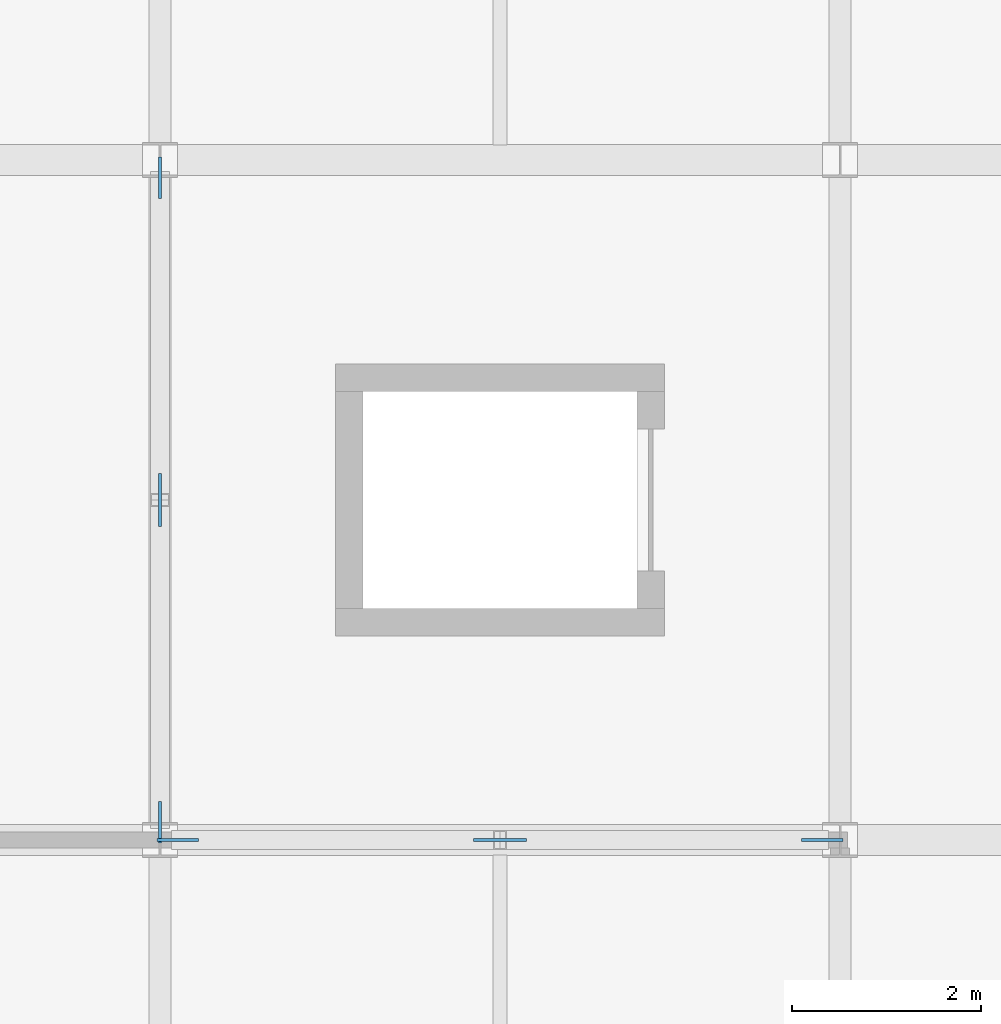
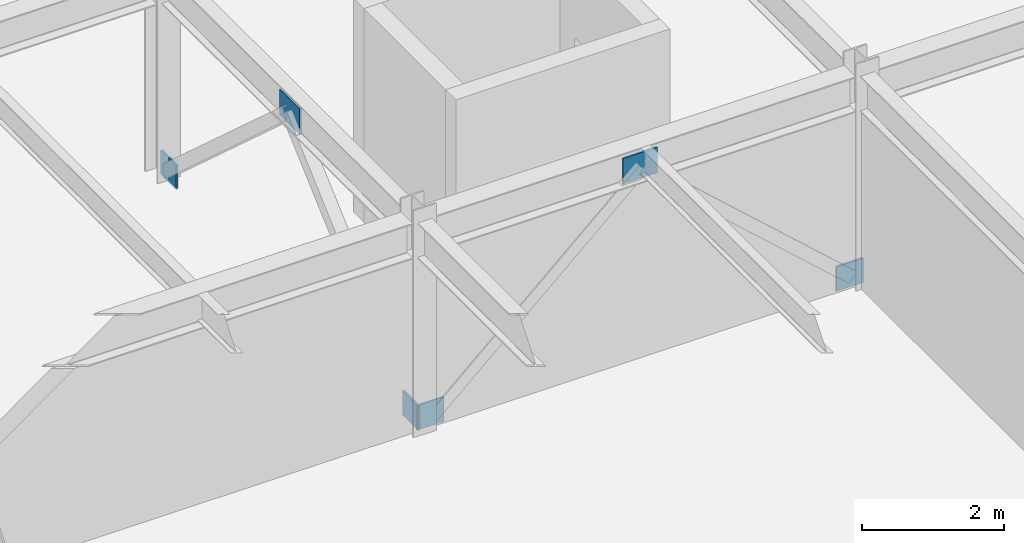
# One storey, part 63 of 93: 6 plates.
"""IFC4 building model written with IfcOpenShell, lengths in metres."""

from ifc_helpers import new_model, si_unit, direction, frame, origin, origin_2d, place, context, subcontext, project, spatial, rectangle, extrude, material, layer, layer_set, type_object, element, save


model = new_model("IFC4")

# Units and contexts
model_context = context("Model", 3, precision=1e-05, world=origin(), true_north=direction((0.0, 1.0)))
body_context = subcontext(model_context, "Body", "Model", "MODEL_VIEW")
ifc_project = project(units=[si_unit("LENGTHUNIT", "METRE"), si_unit("AREAUNIT", "SQUARE_METRE"), si_unit("VOLUMEUNIT", "CUBIC_METRE"), si_unit("PLANEANGLEUNIT", "RADIAN"), si_unit("MASSUNIT", "GRAM", prefix="KILO")], contexts=[model_context])

# Site, building, storey
site_placement = place(None, origin())
site = spatial("IfcSite", under=ifc_project, at=site_placement, CompositionType="ELEMENT")
building_placement = place(site_placement, origin())
building = spatial("IfcBuilding", under=site, at=building_placement, Name="Vaelcorin Mobility Hub", CompositionType="ELEMENT")
storey_placement = place(building_placement, frame((0.0, 0.0, 5.39990234375)))
storey = spatial("IfcBuildingStorey", under=building, at=storey_placement, Name="L01", CompositionType="ELEMENT", Elevation=5.39990234375)

# Plates
ifc_material = material(Name="Steel ASTM A572 Grade 50", Category="steel")
ifc_layer = layer(ifc_material, 0.030029296875)
ifc_layer_set = layer_set([ifc_layer], Name="Steel ASTM A572 Grade 50")
plate_type = type_object("IfcPlateType", Name="PL-GN2", PredefinedType="USERDEFINED", material=ifc_layer_set)
for number, where, z_axis, x_axis, name in (
    (1, (160.989990234375, 98.39990234375, -0.02978515625), (0.0, 0.0, 1.0), (1.0, 0.0, 0.0), "SCBF Gusset Plate GN2 V5-BX2-L01-A"),
    (2, (167.81005859375, 98.39990234375, -0.02978515625), (0.0, 0.0, 1.0), (1.0, 0.0, 0.0), "SCBF Gusset Plate GN2 V5-BX2-L01-B"),
):
    element("IfcPlate", number, at=place(storey_placement, frame(where, z_axis=z_axis, x_axis=x_axis)), inside=storey, type_object=plate_type, Name=name, ObjectType="GUSSET PLATE", PredefinedType="USERDEFINED", context=body_context, shape_type="SweptSolid", body=[
        extrude(rectangle(XDim=0.43994140625, YDim=0.030029296875, at=origin_2d()), origin(), (0.0, 0.0, 1.0), 0.419921875),
    ])
plate_1_placement = place(storey_placement, frame((164.39990234375, 98.39990234375, 3.030029296875), z_axis=(0.0, 0.0, 1.0), x_axis=(1.0, 0.0, 0.0)))
element("IfcPlate", 3, at=plate_1_placement, inside=storey, type_object=plate_type, Name="SCBF Apex Gusset GN2 V5-BX2-L01", ObjectType="GUSSET PLATE", PredefinedType="USERDEFINED", context=body_context, shape_type="SweptSolid", body=[
    extrude(rectangle(XDim=0.56005859375, YDim=0.030029296875, at=origin_2d()), origin(), (0.0, 0.0, 1.0), 0.43994140625),
])
for number, where, z_axis, x_axis, name in (
    (4, (160.800048828125, 98.590087890625, -0.02978515625), (0.0, 0.0, 1.0), (0.0, 1.0, 0.0), "SCBF Gusset Plate GN2 V5-BY2-L01-A"),
    (5, (160.800048828125, 105.409912109375, -0.02978515625), (0.0, 0.0, 1.0), (0.0, 1.0, 0.0), "SCBF Gusset Plate GN2 V5-BY2-L01-B"),
):
    element("IfcPlate", number, at=place(storey_placement, frame(where, z_axis=z_axis, x_axis=x_axis)), inside=storey, type_object=plate_type, Name=name, ObjectType="GUSSET PLATE", PredefinedType="USERDEFINED", context=body_context, shape_type="SweptSolid", body=[
        extrude(rectangle(XDim=0.43994140625, YDim=0.030029296875, at=origin_2d()), origin(), (0.0, 0.0, 1.0), 0.419921875),
    ])
plate_2_placement = place(storey_placement, frame((160.800048828125, 102.0, 3.030029296875), z_axis=(0.0, 0.0, 1.0), x_axis=(0.0, 1.0, 0.0)))
element("IfcPlate", 6, at=plate_2_placement, inside=storey, type_object=plate_type, Name="SCBF Apex Gusset GN2 V5-BY2-L01", ObjectType="GUSSET PLATE", PredefinedType="USERDEFINED", context=body_context, shape_type="SweptSolid", body=[
    extrude(rectangle(XDim=0.56005859375, YDim=0.030029296875, at=origin_2d()), origin(), (0.0, 0.0, 1.0), 0.43994140625),
])

save(model, "model.ifc")
